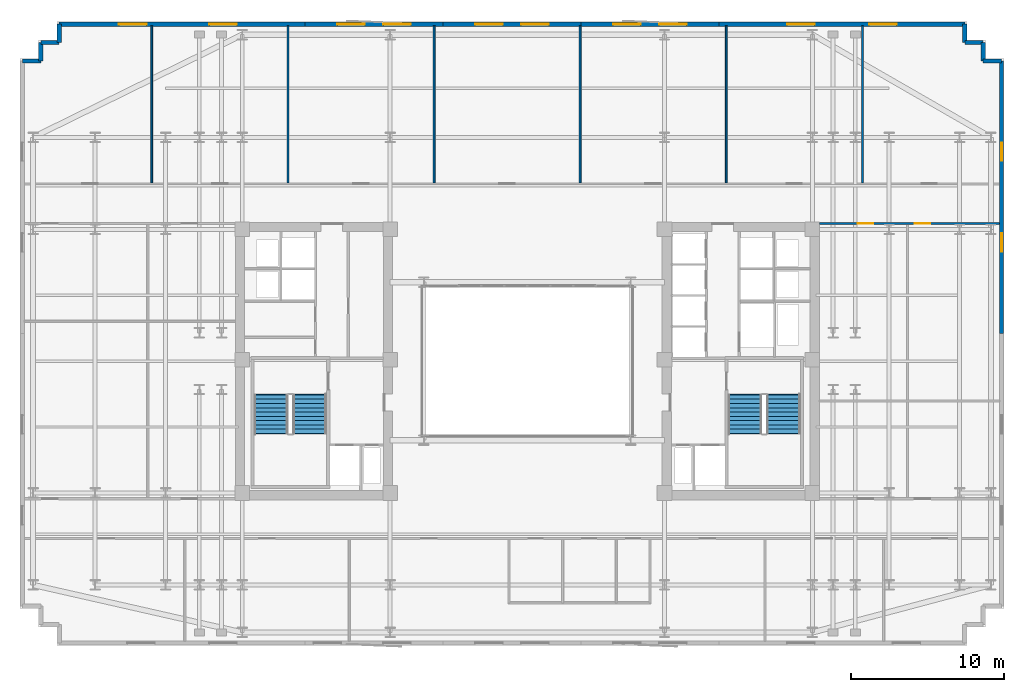
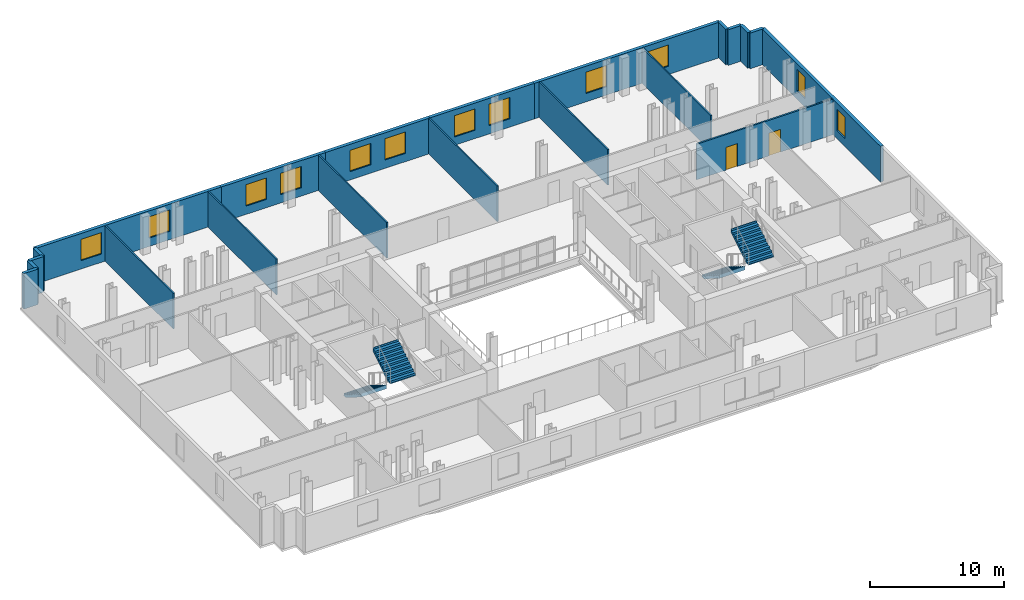
# One storey, part 10 of 12: 21 walls, 12 windows, 4 stair flights, 2 doors, 14 openings, 2 elements without a shape of their own.
"""IFC4 building model written with IfcOpenShell, lengths in metres."""

from ifc_helpers import new_model, si_unit, direction, frame, frame_2d, origin, place, context, subcontext, project, spatial, polyline, rectangle, outline, extrude, material, layer, layer_set, type_object, element, fill, aggregate, save


model = new_model("IFC4")

# Units and contexts
model_context = context("Model", 3, precision=1e-05, world=origin(), true_north=direction((0.0, 1.0)))
body_context = subcontext(model_context, "Body", "Model", "MODEL_VIEW")
ifc_project = project(units=[si_unit("LENGTHUNIT", "METRE"), si_unit("AREAUNIT", "SQUARE_METRE"), si_unit("VOLUMEUNIT", "CUBIC_METRE"), si_unit("PLANEANGLEUNIT", "RADIAN"), si_unit("MASSUNIT", "GRAM", prefix="KILO")], contexts=[model_context])

# Site, building, storey
site_placement = place(None, origin())
site = spatial("IfcSite", under=ifc_project, at=site_placement, CompositionType="ELEMENT")
building_placement = place(site_placement, origin())
building = spatial("IfcBuilding", under=site, at=building_placement, Name="Velakula Bourse", CompositionType="ELEMENT")
storey_placement = place(building_placement, frame((0.0, 0.0, 148.449951171875)))
storey = spatial("IfcBuildingStorey", under=building, at=storey_placement, Name="L40", CompositionType="ELEMENT", Elevation=148.449951171875)

# Wall, openings, windows
ifc_material_1 = material(Name="Red kilned clay facing brick masonry", Category="masonry")
ifc_layer_1 = layer(ifc_material_1, 0.280029296875, Name="Red kilned clay facing brick masonry", Category="masonry")
ifc_layer_set_1 = layer_set([ifc_layer_1], Name="Red kilned clay facing brick masonry")
wall_type_1 = type_object("IfcWallType", Name="WL-EXT-BRK-280", PredefinedType="STANDARD", material=ifc_layer_set_1)
wall_1_placement = place(storey_placement, frame((-30.5400390625, 21.989990234375, 0.0), z_axis=(0.0, 0.0, 1.0), x_axis=(1.0, 0.0, 0.0)))
wall_1 = element("IfcWall", 1, at=wall_1_placement, inside=storey, type_object=wall_type_1, Name="L40 N Brick Spandrel Wall B1", PredefinedType="STANDARD", context=body_context, shape_type="SweptSolid", body=[
    extrude(rectangle(XDim=16.0400390625, YDim=0.280029296875, at=frame_2d((8.02001953125, 0.0))), origin(), (0.0, 0.0, 1.0), 3.25),
])
opening_1_placement = place(wall_1_placement, frame((3.896728515625, 0.0, 0.760009765625)))
opening_1 = element("IfcOpeningElement", 2, at=opening_1_placement, cuts=wall_1, Name="Opening W-01", PredefinedType="OPENING", context=body_context, shape_type="SweptSolid", body=[
    extrude(rectangle(XDim=1.800048828125, YDim=1.949951171875, at=frame_2d((0.89990234375, 0.97509765625))), frame((0.0, 0.14990234375, 0.0), z_axis=(0.0, -1.0, 0.0), x_axis=(1.0, 0.0, 0.0)), (0.0, 0.0, 1.0), 0.300048828125),
])
opening_2_placement = place(wall_1_placement, frame((9.793212890625, 0.0, 0.760009765625)))
opening_2 = element("IfcOpeningElement", 3, at=opening_2_placement, cuts=wall_1, Name="Opening W-01", PredefinedType="OPENING", context=body_context, shape_type="SweptSolid", body=[
    extrude(rectangle(XDim=1.800048828125, YDim=1.949951171875, at=frame_2d((0.89990234375, 0.97509765625))), frame((0.0, 0.14990234375, 0.0), z_axis=(0.0, -1.0, 0.0), x_axis=(1.0, 0.0, 0.0)), (0.0, 0.0, 1.0), 0.300048828125),
])
ifc_material_2 = material(Name="Double-glazed solar-control Low-E glass", Category="glass")
window_type_1 = type_object("IfcWindowType", Name="WIN-TWR-1800x2100", PartitioningType="SINGLE_PANEL", PredefinedType="WINDOW", material=ifc_material_2)
window_1_placement = place(opening_1_placement, origin())
window_1 = element("IfcWindow", 4, at=window_1_placement, inside=storey, type_object=window_type_1, Name="L40 Deep-Set Recessed Window 1", OverallHeight=1.949951171875, OverallWidth=1.800048828125, PartitioningType="SINGLE_PANEL", PredefinedType="WINDOW", context=body_context, shape_type="SweptSolid", body=[
    extrude(rectangle(XDim=1.800048828125, YDim=1.949951171875, at=frame_2d((0.89990234375, 0.97509765625))), frame((0.0, 0.030029296875, 0.0), z_axis=(0.0, -1.0, 0.0), x_axis=(1.0, 0.0, 0.0)), (0.0, 0.0, 1.0), 0.06005859375),
])
fill(opening_1, window_1)
window_2_placement = place(opening_2_placement, origin())
window_2 = element("IfcWindow", 5, at=window_2_placement, inside=storey, type_object=window_type_1, Name="L40 Deep-Set Recessed Window 2", OverallHeight=1.949951171875, OverallWidth=1.800048828125, PartitioningType="SINGLE_PANEL", PredefinedType="WINDOW", context=body_context, shape_type="SweptSolid", body=[
    extrude(rectangle(XDim=1.800048828125, YDim=1.949951171875, at=frame_2d((0.89990234375, 0.97509765625))), frame((0.0, 0.030029296875, 0.0), z_axis=(0.0, -1.0, 0.0), x_axis=(1.0, 0.0, 0.0)), (0.0, 0.0, 1.0), 0.06005859375),
])
fill(opening_2, window_2)

wall_2_placement = place(storey_placement, frame((-14.5, 21.989990234375, 0.0), z_axis=(0.0, 0.0, 1.0), x_axis=(1.0, 0.0, 0.0)))
wall_2 = element("IfcWall", 6, at=wall_2_placement, inside=storey, type_object=wall_type_1, Name="L40 N Brick Spandrel Wall B2", PredefinedType="STANDARD", context=body_context, shape_type="SweptSolid", body=[
    extrude(rectangle(XDim=9.0, YDim=0.280029296875, at=frame_2d((4.5, 0.0))), origin(), (0.0, 0.0, 1.0), 3.25),
])
opening_3_placement = place(wall_2_placement, frame((2.10009765625, 0.0, 0.760009765625)))
opening_3 = element("IfcOpeningElement", 7, at=opening_3_placement, cuts=wall_2, Name="Opening W-01", PredefinedType="OPENING", context=body_context, shape_type="SweptSolid", body=[
    extrude(rectangle(XDim=1.800048828125, YDim=1.949951171875, at=frame_2d((0.89990234375, 0.97509765625))), frame((0.0, 0.14990234375, 0.0), z_axis=(0.0, -1.0, 0.0), x_axis=(1.0, 0.0, 0.0)), (0.0, 0.0, 1.0), 0.300048828125),
])
opening_4_placement = place(wall_2_placement, frame((5.10009765625, 0.0, 0.760009765625)))
opening_4 = element("IfcOpeningElement", 8, at=opening_4_placement, cuts=wall_2, Name="Opening W-01", PredefinedType="OPENING", context=body_context, shape_type="SweptSolid", body=[
    extrude(rectangle(XDim=1.800048828125, YDim=1.949951171875, at=frame_2d((0.89990234375, 0.97509765625))), frame((0.0, 0.14990234375, 0.0), z_axis=(0.0, -1.0, 0.0), x_axis=(1.0, 0.0, 0.0)), (0.0, 0.0, 1.0), 0.300048828125),
])
window_3_placement = place(opening_3_placement, origin())
window_3 = element("IfcWindow", 9, at=window_3_placement, inside=storey, type_object=window_type_1, Name="L40 Deep-Set Recessed Window 1", OverallHeight=1.949951171875, OverallWidth=1.800048828125, PartitioningType="SINGLE_PANEL", PredefinedType="WINDOW", context=body_context, shape_type="SweptSolid", body=[
    extrude(rectangle(XDim=1.800048828125, YDim=1.949951171875, at=frame_2d((0.89990234375, 0.97509765625))), frame((0.0, 0.030029296875, 0.0), z_axis=(0.0, -1.0, 0.0), x_axis=(1.0, 0.0, 0.0)), (0.0, 0.0, 1.0), 0.06005859375),
])
fill(opening_3, window_3)
window_4_placement = place(opening_4_placement, origin())
window_4 = element("IfcWindow", 10, at=window_4_placement, inside=storey, type_object=window_type_1, Name="L40 Deep-Set Recessed Window 2", OverallHeight=1.949951171875, OverallWidth=1.800048828125, PartitioningType="SINGLE_PANEL", PredefinedType="WINDOW", context=body_context, shape_type="SweptSolid", body=[
    extrude(rectangle(XDim=1.800048828125, YDim=1.949951171875, at=frame_2d((0.89990234375, 0.97509765625))), frame((0.0, 0.030029296875, 0.0), z_axis=(0.0, -1.0, 0.0), x_axis=(1.0, 0.0, 0.0)), (0.0, 0.0, 1.0), 0.06005859375),
])
fill(opening_4, window_4)

wall_3_placement = place(storey_placement, frame((-5.5, 21.989990234375, 0.0), z_axis=(0.0, 0.0, 1.0), x_axis=(1.0, 0.0, 0.0)))
wall_3 = element("IfcWall", 11, at=wall_3_placement, inside=storey, type_object=wall_type_1, Name="L40 N Brick Spandrel Wall B3", PredefinedType="STANDARD", context=body_context, shape_type="SweptSolid", body=[
    extrude(rectangle(XDim=9.0, YDim=0.280029296875, at=frame_2d((4.5, 0.0))), origin(), (0.0, 0.0, 1.0), 3.25),
])
opening_5_placement = place(wall_3_placement, frame((2.10009765625, 0.0, 0.760009765625)))
opening_5 = element("IfcOpeningElement", 12, at=opening_5_placement, cuts=wall_3, Name="Opening W-01", PredefinedType="OPENING", context=body_context, shape_type="SweptSolid", body=[
    extrude(rectangle(XDim=1.800048828125, YDim=1.949951171875, at=frame_2d((0.89990234375, 0.97509765625))), frame((0.0, 0.14990234375, 0.0), z_axis=(0.0, -1.0, 0.0), x_axis=(1.0, 0.0, 0.0)), (0.0, 0.0, 1.0), 0.300048828125),
])
opening_6_placement = place(wall_3_placement, frame((5.10009765625, 0.0, 0.760009765625)))
opening_6 = element("IfcOpeningElement", 13, at=opening_6_placement, cuts=wall_3, Name="Opening W-01", PredefinedType="OPENING", context=body_context, shape_type="SweptSolid", body=[
    extrude(rectangle(XDim=1.800048828125, YDim=1.949951171875, at=frame_2d((0.89990234375, 0.97509765625))), frame((0.0, 0.14990234375, 0.0), z_axis=(0.0, -1.0, 0.0), x_axis=(1.0, 0.0, 0.0)), (0.0, 0.0, 1.0), 0.300048828125),
])
window_5_placement = place(opening_5_placement, origin())
window_5 = element("IfcWindow", 14, at=window_5_placement, inside=storey, type_object=window_type_1, Name="L40 Deep-Set Recessed Window 1", OverallHeight=1.949951171875, OverallWidth=1.800048828125, PartitioningType="SINGLE_PANEL", PredefinedType="WINDOW", context=body_context, shape_type="SweptSolid", body=[
    extrude(rectangle(XDim=1.800048828125, YDim=1.949951171875, at=frame_2d((0.89990234375, 0.97509765625))), frame((0.0, 0.030029296875, 0.0), z_axis=(0.0, -1.0, 0.0), x_axis=(1.0, 0.0, 0.0)), (0.0, 0.0, 1.0), 0.06005859375),
])
fill(opening_5, window_5)
window_6_placement = place(opening_6_placement, origin())
window_6 = element("IfcWindow", 15, at=window_6_placement, inside=storey, type_object=window_type_1, Name="L40 Deep-Set Recessed Window 2", OverallHeight=1.949951171875, OverallWidth=1.800048828125, PartitioningType="SINGLE_PANEL", PredefinedType="WINDOW", context=body_context, shape_type="SweptSolid", body=[
    extrude(rectangle(XDim=1.800048828125, YDim=1.949951171875, at=frame_2d((0.89990234375, 0.97509765625))), frame((0.0, 0.030029296875, 0.0), z_axis=(0.0, -1.0, 0.0), x_axis=(1.0, 0.0, 0.0)), (0.0, 0.0, 1.0), 0.06005859375),
])
fill(opening_6, window_6)

wall_4_placement = place(storey_placement, frame((3.5, 21.989990234375, 0.0), z_axis=(0.0, 0.0, 1.0), x_axis=(1.0, 0.0, 0.0)))
wall_4 = element("IfcWall", 16, at=wall_4_placement, inside=storey, type_object=wall_type_1, Name="L40 N Brick Spandrel Wall B4", PredefinedType="STANDARD", context=body_context, shape_type="SweptSolid", body=[
    extrude(rectangle(XDim=9.0, YDim=0.280029296875, at=frame_2d((4.5, 0.0))), origin(), (0.0, 0.0, 1.0), 3.25),
])
opening_7_placement = place(wall_4_placement, frame((2.10009765625, 0.0, 0.760009765625)))
opening_7 = element("IfcOpeningElement", 17, at=opening_7_placement, cuts=wall_4, Name="Opening W-01", PredefinedType="OPENING", context=body_context, shape_type="SweptSolid", body=[
    extrude(rectangle(XDim=1.800048828125, YDim=1.949951171875, at=frame_2d((0.89990234375, 0.97509765625))), frame((0.0, 0.14990234375, 0.0), z_axis=(0.0, -1.0, 0.0), x_axis=(1.0, 0.0, 0.0)), (0.0, 0.0, 1.0), 0.300048828125),
])
opening_8_placement = place(wall_4_placement, frame((5.10009765625, 0.0, 0.760009765625)))
opening_8 = element("IfcOpeningElement", 18, at=opening_8_placement, cuts=wall_4, Name="Opening W-01", PredefinedType="OPENING", context=body_context, shape_type="SweptSolid", body=[
    extrude(rectangle(XDim=1.800048828125, YDim=1.949951171875, at=frame_2d((0.89990234375, 0.97509765625))), frame((0.0, 0.14990234375, 0.0), z_axis=(0.0, -1.0, 0.0), x_axis=(1.0, 0.0, 0.0)), (0.0, 0.0, 1.0), 0.300048828125),
])
window_7_placement = place(opening_7_placement, origin())
window_7 = element("IfcWindow", 19, at=window_7_placement, inside=storey, type_object=window_type_1, Name="L40 Deep-Set Recessed Window 1", OverallHeight=1.949951171875, OverallWidth=1.800048828125, PartitioningType="SINGLE_PANEL", PredefinedType="WINDOW", context=body_context, shape_type="SweptSolid", body=[
    extrude(rectangle(XDim=1.800048828125, YDim=1.949951171875, at=frame_2d((0.89990234375, 0.97509765625))), frame((0.0, 0.030029296875, 0.0), z_axis=(0.0, -1.0, 0.0), x_axis=(1.0, 0.0, 0.0)), (0.0, 0.0, 1.0), 0.06005859375),
])
fill(opening_7, window_7)
window_8_placement = place(opening_8_placement, origin())
window_8 = element("IfcWindow", 20, at=window_8_placement, inside=storey, type_object=window_type_1, Name="L40 Deep-Set Recessed Window 2", OverallHeight=1.949951171875, OverallWidth=1.800048828125, PartitioningType="SINGLE_PANEL", PredefinedType="WINDOW", context=body_context, shape_type="SweptSolid", body=[
    extrude(rectangle(XDim=1.800048828125, YDim=1.949951171875, at=frame_2d((0.89990234375, 0.97509765625))), frame((0.0, 0.030029296875, 0.0), z_axis=(0.0, -1.0, 0.0), x_axis=(1.0, 0.0, 0.0)), (0.0, 0.0, 1.0), 0.06005859375),
])
fill(opening_8, window_8)

wall_5_placement = place(storey_placement, frame((12.5, 21.989990234375, 0.0), z_axis=(0.0, 0.0, 1.0), x_axis=(1.0, 0.0, 0.0)))
wall_5 = element("IfcWall", 21, at=wall_5_placement, inside=storey, type_object=wall_type_1, Name="L40 N Brick Spandrel Wall B5", PredefinedType="STANDARD", context=body_context, shape_type="SweptSolid", body=[
    extrude(rectangle(XDim=16.0400390625, YDim=0.280029296875, at=frame_2d((8.02001953125, 0.0))), origin(), (0.0, 0.0, 1.0), 3.25),
])
opening_9_placement = place(wall_5_placement, frame((4.44677734375, 0.0, 0.760009765625)))
opening_9 = element("IfcOpeningElement", 22, at=opening_9_placement, cuts=wall_5, Name="Opening W-01", PredefinedType="OPENING", context=body_context, shape_type="SweptSolid", body=[
    extrude(rectangle(XDim=1.800048828125, YDim=1.949951171875, at=frame_2d((0.89990234375, 0.97509765625))), frame((0.0, 0.14990234375, 0.0), z_axis=(0.0, -1.0, 0.0), x_axis=(1.0, 0.0, 0.0)), (0.0, 0.0, 1.0), 0.300048828125),
])
opening_10_placement = place(wall_5_placement, frame((9.793212890625, 0.0, 0.760009765625)))
opening_10 = element("IfcOpeningElement", 23, at=opening_10_placement, cuts=wall_5, Name="Opening W-01", PredefinedType="OPENING", context=body_context, shape_type="SweptSolid", body=[
    extrude(rectangle(XDim=1.800048828125, YDim=1.949951171875, at=frame_2d((0.89990234375, 0.97509765625))), frame((0.0, 0.14990234375, 0.0), z_axis=(0.0, -1.0, 0.0), x_axis=(1.0, 0.0, 0.0)), (0.0, 0.0, 1.0), 0.300048828125),
])
window_9_placement = place(opening_9_placement, origin())
window_9 = element("IfcWindow", 24, at=window_9_placement, inside=storey, type_object=window_type_1, Name="L40 Deep-Set Recessed Window 1", OverallHeight=1.949951171875, OverallWidth=1.800048828125, PartitioningType="SINGLE_PANEL", PredefinedType="WINDOW", context=body_context, shape_type="SweptSolid", body=[
    extrude(rectangle(XDim=1.800048828125, YDim=1.949951171875, at=frame_2d((0.89990234375, 0.97509765625))), frame((0.0, 0.030029296875, 0.0), z_axis=(0.0, -1.0, 0.0), x_axis=(1.0, 0.0, 0.0)), (0.0, 0.0, 1.0), 0.06005859375),
])
fill(opening_9, window_9)
window_10_placement = place(opening_10_placement, origin())
window_10 = element("IfcWindow", 25, at=window_10_placement, inside=storey, type_object=window_type_1, Name="L40 Deep-Set Recessed Window 2", OverallHeight=1.949951171875, OverallWidth=1.800048828125, PartitioningType="SINGLE_PANEL", PredefinedType="WINDOW", context=body_context, shape_type="SweptSolid", body=[
    extrude(rectangle(XDim=1.800048828125, YDim=1.949951171875, at=frame_2d((0.89990234375, 0.97509765625))), frame((0.0, 0.030029296875, 0.0), z_axis=(0.0, -1.0, 0.0), x_axis=(1.0, 0.0, 0.0)), (0.0, 0.0, 1.0), 0.06005859375),
])
fill(opening_10, window_10)

wall_6_placement = place(storey_placement, frame((30.93994140625, 19.590087890625, 0.0), z_axis=(0.0, 0.0, 1.0), x_axis=(0.0, -1.0, 0.0)))
wall_6 = element("IfcWall", 26, at=wall_6_placement, inside=storey, type_object=wall_type_1, Name="L40 E Brick End Wall W2", PredefinedType="STANDARD", context=body_context, shape_type="SweptSolid", body=[
    extrude(rectangle(XDim=17.7900390625, YDim=0.280029296875, at=frame_2d((8.89501953125, 0.0))), origin(), (0.0, 0.0, 1.0), 3.25),
])
opening_11_placement = place(wall_6_placement, frame((5.330078125, 0.0, 0.760009765625)))
opening_11 = element("IfcOpeningElement", 27, at=opening_11_placement, cuts=wall_6, Name="Opening W-04", PredefinedType="OPENING", context=body_context, shape_type="SweptSolid", body=[
    extrude(rectangle(XDim=1.199951171875, YDim=1.949951171875, at=frame_2d((0.60009765625, 0.97509765625))), frame((0.0, 0.14990234375, 0.0), z_axis=(0.0, -1.0, 0.0), x_axis=(1.0, 0.0, 0.0)), (0.0, 0.0, 1.0), 0.300048828125),
])
opening_12_placement = place(wall_6_placement, frame((11.260009765625, 0.0, 0.760009765625)))
opening_12 = element("IfcOpeningElement", 28, at=opening_12_placement, cuts=wall_6, Name="Opening W-04", PredefinedType="OPENING", context=body_context, shape_type="SweptSolid", body=[
    extrude(rectangle(XDim=1.199951171875, YDim=1.949951171875, at=frame_2d((0.60009765625, 0.97509765625))), frame((0.0, 0.14990234375, 0.0), z_axis=(0.0, -1.0, 0.0), x_axis=(1.0, 0.0, 0.0)), (0.0, 0.0, 1.0), 0.300048828125),
])
window_type_2 = type_object("IfcWindowType", Name="WIN-TWR-1200x2100", PartitioningType="SINGLE_PANEL", PredefinedType="WINDOW", material=ifc_material_2)
window_11_placement = place(opening_11_placement, origin())
window_11 = element("IfcWindow", 29, at=window_11_placement, inside=storey, type_object=window_type_2, Name="L40 Deep-Set Recessed Window 1", OverallHeight=1.949951171875, OverallWidth=1.199951171875, PartitioningType="SINGLE_PANEL", PredefinedType="WINDOW", context=body_context, shape_type="SweptSolid", body=[
    extrude(rectangle(XDim=1.199951171875, YDim=1.949951171875, at=frame_2d((0.60009765625, 0.97509765625))), frame((0.0, 0.030029296875, 0.0), z_axis=(0.0, -1.0, 0.0), x_axis=(1.0, 0.0, 0.0)), (0.0, 0.0, 1.0), 0.06005859375),
])
fill(opening_11, window_11)
window_12_placement = place(opening_12_placement, origin())
window_12 = element("IfcWindow", 30, at=window_12_placement, inside=storey, type_object=window_type_2, Name="L40 Deep-Set Recessed Window 2", OverallHeight=1.949951171875, OverallWidth=1.199951171875, PartitioningType="SINGLE_PANEL", PredefinedType="WINDOW", context=body_context, shape_type="SweptSolid", body=[
    extrude(rectangle(XDim=1.199951171875, YDim=1.949951171875, at=frame_2d((0.60009765625, 0.97509765625))), frame((0.0, 0.030029296875, 0.0), z_axis=(0.0, -1.0, 0.0), x_axis=(1.0, 0.0, 0.0)), (0.0, 0.0, 1.0), 0.06005859375),
])
fill(opening_12, window_12)

# Walls
for number, where, z_axis, x_axis, name in (
    (31, (30.93994140625, 19.590087890625, 0.0), (0.0, 0.0, 1.0), (-1.0, 0.0, 0.0), "L40 Serrated Corner Brick Wall NE-1"),
    (32, (29.739990234375, 19.590087890625, 0.0), (0.0, 0.0, 1.0), (0.0, 1.0, 0.0), "L40 Serrated Corner Brick Wall NE-2"),
    (33, (29.739990234375, 20.7900390625, 0.0), (0.0, 0.0, 1.0), (-1.0, 0.0, 0.0), "L40 Serrated Corner Brick Wall NE-3"),
    (34, (28.5400390625, 20.7900390625, 0.0), (0.0, 0.0, 1.0), (0.0, 1.0, 0.0), "L40 Serrated Corner Brick Wall NE-4"),
    (35, (-30.5400390625, 21.989990234375, 0.0), (0.0, 0.0, 1.0), (0.0, -1.0, 0.0), "L40 Serrated Corner Brick Wall NW-1"),
    (36, (-30.5400390625, 20.7900390625, 0.0), (0.0, 0.0, 1.0), (-1.0, 0.0, 0.0), "L40 Serrated Corner Brick Wall NW-2"),
    (37, (-31.739990234375, 20.7900390625, 0.0), (0.0, 0.0, 1.0), (0.0, -1.0, 0.0), "L40 Serrated Corner Brick Wall NW-3"),
    (38, (-31.739990234375, 19.590087890625, 0.0), (0.0, 0.0, 1.0), (-1.0, 0.0, 0.0), "L40 Serrated Corner Brick Wall NW-4"),
):
    element("IfcWall", number, at=place(storey_placement, frame(where, z_axis=z_axis, x_axis=x_axis)), inside=storey, type_object=wall_type_1, Name=name, PredefinedType="STANDARD", context=body_context, shape_type="SweptSolid", body=[
        extrude(rectangle(XDim=1.199951171875, YDim=0.280029296875, at=frame_2d((0.60009765625, 0.0))), origin(), (0.0, 0.0, 1.0), 3.25),
    ])
ifc_material_3 = material(Name="Fire-rated double-layer gypsum drywall partition", Category="gypsum")
ifc_layer_2 = layer(ifc_material_3, 0.1201171875, Name="Fire-rated double-layer gypsum drywall partition", Category="gypsum")
ifc_layer_set_2 = layer_set([ifc_layer_2], Name="Fire-rated double-layer gypsum drywall partition")
wall_type_2 = type_object("IfcWallType", Name="WL-PART-120", PredefinedType="STANDARD", material=ifc_layer_set_2)
for number, where, z_axis, x_axis, name in (
    (39, (-24.501953125, 11.639892578125, 0.0), (0.0, 0.0, 1.0), (0.0, 1.0, 0.0), "L40 Interior Partition WL-INT-L40-N-D1"),
    (40, (-15.610107421875, 11.639892578125, 0.0), (0.0, 0.0, 1.0), (0.0, 1.0, 0.0), "L40 Interior Partition WL-INT-L40-N-D2"),
    (41, (-6.08203125, 11.639892578125, 0.0), (0.0, 0.0, 1.0), (0.0, 1.0, 0.0), "L40 Interior Partition WL-INT-L40-N-D3"),
    (42, (3.446044921875, 11.639892578125, 0.0), (0.0, 0.0, 1.0), (0.0, 1.0, 0.0), "L40 Interior Partition WL-INT-L40-N-D4"),
    (43, (12.97412109375, 11.639892578125, 0.0), (0.0, 0.0, 1.0), (0.0, 1.0, 0.0), "L40 Interior Partition WL-INT-L40-N-D5"),
    (44, (21.866943359375, 11.639892578125, 0.0), (0.0, 0.0, 1.0), (0.0, 1.0, 0.0), "L40 Interior Partition WL-INT-L40-N-D6"),
):
    element("IfcWall", number, at=place(storey_placement, frame(where, z_axis=z_axis, x_axis=x_axis)), inside=storey, type_object=wall_type_2, Name=name, PredefinedType="STANDARD", context=body_context, shape_type="SweptSolid", body=[
        extrude(rectangle(XDim=10.230224609375, YDim=0.1201171875, at=frame_2d((5.115234375, 0.0))), origin(), (0.0, 0.0, 1.0), 3.25),
    ])

# Wall, openings, doors
ifc_layer_3 = layer(ifc_material_3, 0.139892578125, Name="Fire-rated double-layer gypsum drywall partition", Category="gypsum")
ifc_layer_set_3 = layer_set([ifc_layer_3], Name="Fire-rated double-layer gypsum drywall partition")
wall_type_3 = type_object("IfcWallType", Name="WL-PART-140", PredefinedType="STANDARD", material=ifc_layer_set_3)
wall_7_placement = place(storey_placement, frame((19.050048828125, 8.97998046875, 0.0), z_axis=(0.0, 0.0, 1.0), x_axis=(1.0, 0.0, 0.0)))
wall_7 = element("IfcWall", 45, at=wall_7_placement, inside=storey, type_object=wall_type_3, Name="L40 Interior Partition WL-INT-L40-E-NC", PredefinedType="STANDARD", context=body_context, shape_type="SweptSolid", body=[
    extrude(rectangle(XDim=11.77001953125, YDim=0.139892578125, at=frame_2d((5.885009765625, 0.0))), origin(), (0.0, 0.0, 1.0), 3.25),
])
opening_13_placement = place(wall_7_placement, frame((2.507568359375, 0.0, 0.0)))
opening_13 = element("IfcOpeningElement", 46, at=opening_13_placement, cuts=wall_7, Name="Opening D-OF1", PredefinedType="OPENING", context=body_context, shape_type="SweptSolid", body=[
    extrude(rectangle(XDim=1.0, YDim=2.080078125, at=frame_2d((0.5, 1.0400390625))), frame((0.0, 0.079833984375, 0.0), z_axis=(0.0, -1.0, 0.0), x_axis=(1.0, 0.0, 0.0)), (0.0, 0.0, 1.0), 0.159912109375),
])
opening_14_placement = place(wall_7_placement, frame((6.236328125, 0.0, 0.0)))
opening_14 = element("IfcOpeningElement", 47, at=opening_14_placement, cuts=wall_7, Name="Opening D-OF1", PredefinedType="OPENING", context=body_context, shape_type="SweptSolid", body=[
    extrude(rectangle(XDim=1.0, YDim=2.080078125, at=frame_2d((0.5, 1.0400390625))), frame((0.0, 0.079833984375, 0.0), z_axis=(0.0, -1.0, 0.0), x_axis=(1.0, 0.0, 0.0)), (0.0, 0.0, 1.0), 0.159912109375),
])
ifc_material_4 = material(Name="Fire-rated hardwood flush architectural door", Category="wood")
door_type = type_object("IfcDoorType", Name="DR-OFF-1000", OperationType="NOTDEFINED", PredefinedType="DOOR", material=ifc_material_4)
door_1_placement = place(opening_13_placement, origin())
door_1 = element("IfcDoor", 48, at=door_1_placement, inside=storey, type_object=door_type, Name="L40 Chief Risk Officer Chamber Door", OperationType="SINGLE_SWING_LEFT", OverallHeight=2.080078125, OverallWidth=1.0, PredefinedType="DOOR", context=body_context, shape_type="SweptSolid", body=[
    extrude(rectangle(XDim=1.0, YDim=2.080078125, at=frame_2d((0.5, 1.0400390625))), frame((0.0, 0.02490234375, 0.0), z_axis=(0.0, -1.0, 0.0), x_axis=(1.0, 0.0, 0.0)), (0.0, 0.0, 1.0), 0.050048828125),
])
fill(opening_13, door_1)
door_2_placement = place(opening_14_placement, origin())
door_2 = element("IfcDoor", 49, at=door_2_placement, inside=storey, type_object=door_type, Name="L40 Yield Curve Seminar Room Door", OperationType="SINGLE_SWING_RIGHT", OverallHeight=2.080078125, OverallWidth=1.0, PredefinedType="DOOR", context=body_context, shape_type="SweptSolid", body=[
    extrude(rectangle(XDim=1.0, YDim=2.080078125, at=frame_2d((0.5, 1.0400390625))), frame((0.0, 0.02490234375, 0.0), z_axis=(0.0, -1.0, 0.0), x_axis=(1.0, 0.0, 0.0)), (0.0, 0.0, 1.0), 0.050048828125),
])
fill(opening_14, door_2)

# Stair, stair flights
ifc_material_5 = material(Name="Concrete M45 (fck 45 MPa)", Category="concrete")
stair_type = type_object("IfcStairType", Name="STR-DOG-390", PredefinedType="HALF_TURN_STAIR", material=ifc_material_5)
stair_1_placement = place(storey_placement, origin())
stair_1 = element("IfcStair", 50, at=stair_1_placement, inside=storey, type_object=stair_type, Name="L40 West Core Exit Stair ST-W1", PredefinedType="HALF_TURN_STAIR")
ifc_layer_4 = layer(ifc_material_5, 0.195068359375, Name="Concrete M45 (fck 45 MPa)", Category="concrete")
ifc_layer_set_4 = layer_set([ifc_layer_4], Name="Concrete M45 (fck 45 MPa)")
stair_flight_type = type_object("IfcStairFlightType", Name="FLT-DOG-390", PredefinedType="STRAIGHT", material=ifc_layer_set_4)
stair_flight_1_placement = place(storey_placement, frame((-16.720947265625, -2.199951171875, 0.0), z_axis=(0.0, 0.0, 1.0), x_axis=(0.0, -1.0, 0.0)))
stair_flight_1 = element("IfcStairFlight", 51, at=stair_flight_1_placement, type_object=stair_flight_type, Name="ST-W1 flight 1", NumberOfRisers=10, NumberOfTreads=9, PredefinedType="STRAIGHT", RiserHeight=0.1725, TreadLength=0.28, context=body_context, shape_type="SweptSolid", body=[
    extrude(outline(polyline([(-0.044921875, -0.0400390625), (-0.044921875, -0.036865234375), (-0.044921875, -0.033935546875), (-0.044921875, -0.03076171875), (-0.044921875, -0.027587890625), (-0.044921875, -0.024658203125), (-0.044921875, -0.021484375), (-0.044921875, -0.0185546875), (-0.044921875, -0.015380859375), (-0.044921875, -0.01220703125), (-0.044921875, -0.00927734375), (-0.044921875, -0.006103515625), (-0.044921875, -0.003173828125), (-0.044921875, 0.0), (0.0, 0.0), (0.0, 0.172607421875), (0.280029296875, 0.172607421875), (0.280029296875, 0.344970703125), (0.56005859375, 0.344970703125), (0.56005859375, 0.517578125), (0.840087890625, 0.517578125), (0.840087890625, 0.68994140625), (1.1201171875, 0.68994140625), (1.1201171875, 0.862548828125), (1.39990234375, 0.862548828125), (1.39990234375, 1.034912109375), (1.679931640625, 1.034912109375), (1.679931640625, 1.20751953125), (1.9599609375, 1.20751953125), (1.9599609375, 1.3798828125), (2.239990234375, 1.3798828125), (2.239990234375, 1.552490234375), (2.52001953125, 1.552490234375), (2.52001953125, 1.72509765625), (2.56494140625, 1.72509765625), (2.56494140625, 1.7001953125), (2.56494140625, 1.67529296875), (2.56494140625, 1.650390625), (2.56494140625, 1.62548828125), (2.56494140625, 1.6005859375), (2.56494140625, 1.57568359375), (2.56494140625, 1.55078125), (2.56494140625, 1.52587890625), (2.56494140625, 1.5009765625), (2.56494140625, 1.47607421875), (2.56494140625, 1.451171875), (2.56494140625, 1.42626953125), (2.56494140625, 1.4013671875), (2.56494140625, 1.37646484375), (0.285888671875, -0.0400390625), (-0.044921875, -0.0400390625)])), frame((0.0, 1.09912109375, 0.0), z_axis=(0.0, -1.0, 0.0), x_axis=(1.0, 0.0, 0.0)), (0.0, 0.0, 1.0), 2.197998046875),
])
stair_flight_2_placement = place(storey_placement, frame((-14.198974609375, -4.719970703125, 1.72509765625), z_axis=(0.0, 0.0, 1.0), x_axis=(0.0, 1.0, 0.0)))
stair_flight_2 = element("IfcStairFlight", 52, at=stair_flight_2_placement, type_object=stair_flight_type, Name="ST-W1 flight 2", NumberOfRisers=10, NumberOfTreads=9, PredefinedType="STRAIGHT", RiserHeight=0.1725, TreadLength=0.28, context=body_context, shape_type="SweptSolid", body=[
    extrude(outline(polyline([(-0.044921875, -0.0400390625), (-0.044921875, -0.036865234375), (-0.044921875, -0.033935546875), (-0.044921875, -0.03076171875), (-0.044921875, -0.027587890625), (-0.044921875, -0.024658203125), (-0.044921875, -0.021484375), (-0.044921875, -0.0185546875), (-0.044921875, -0.015380859375), (-0.044921875, -0.01220703125), (-0.044921875, -0.00927734375), (-0.044921875, -0.006103515625), (-0.044921875, -0.003173828125), (-0.044921875, 0.0), (0.0, 0.0), (0.0, 0.172607421875), (0.280029296875, 0.172607421875), (0.280029296875, 0.344970703125), (0.56005859375, 0.344970703125), (0.56005859375, 0.517578125), (0.840087890625, 0.517578125), (0.840087890625, 0.68994140625), (1.1201171875, 0.68994140625), (1.1201171875, 0.862548828125), (1.39990234375, 0.862548828125), (1.39990234375, 1.034912109375), (1.679931640625, 1.034912109375), (1.679931640625, 1.20751953125), (1.9599609375, 1.20751953125), (1.9599609375, 1.3798828125), (2.239990234375, 1.3798828125), (2.239990234375, 1.552490234375), (2.52001953125, 1.552490234375), (2.52001953125, 1.72509765625), (2.56494140625, 1.72509765625), (2.56494140625, 1.7001953125), (2.56494140625, 1.67529296875), (2.56494140625, 1.650390625), (2.56494140625, 1.62548828125), (2.56494140625, 1.6005859375), (2.56494140625, 1.57568359375), (2.56494140625, 1.55078125), (2.56494140625, 1.52587890625), (2.56494140625, 1.5009765625), (2.56494140625, 1.47607421875), (2.56494140625, 1.451171875), (2.56494140625, 1.42626953125), (2.56494140625, 1.4013671875), (2.56494140625, 1.37646484375), (0.285888671875, -0.0400390625), (-0.044921875, -0.0400390625)])), frame((0.0, 1.09912109375, 0.0), z_axis=(0.0, -1.0, 0.0), x_axis=(1.0, 0.0, 0.0)), (0.0, 0.0, 1.0), 2.197998046875),
])
aggregate(stair_1, [stair_flight_1, stair_flight_2])

stair_2_placement = place(storey_placement, origin())
stair_2 = element("IfcStair", 53, at=stair_2_placement, inside=storey, type_object=stair_type, Name="L40 East Core Exit Stair ST-E1", PredefinedType="HALF_TURN_STAIR")
stair_flight_3_placement = place(storey_placement, frame((14.198974609375, -2.199951171875, 0.0), z_axis=(0.0, 0.0, 1.0), x_axis=(0.0, -1.0, 0.0)))
stair_flight_3 = element("IfcStairFlight", 54, at=stair_flight_3_placement, type_object=stair_flight_type, Name="ST-E1 flight 1", NumberOfRisers=10, NumberOfTreads=9, PredefinedType="STRAIGHT", RiserHeight=0.1725, TreadLength=0.28, context=body_context, shape_type="SweptSolid", body=[
    extrude(outline(polyline([(-0.044921875, -0.0400390625), (-0.044921875, -0.036865234375), (-0.044921875, -0.033935546875), (-0.044921875, -0.03076171875), (-0.044921875, -0.027587890625), (-0.044921875, -0.024658203125), (-0.044921875, -0.021484375), (-0.044921875, -0.0185546875), (-0.044921875, -0.015380859375), (-0.044921875, -0.01220703125), (-0.044921875, -0.00927734375), (-0.044921875, -0.006103515625), (-0.044921875, -0.003173828125), (-0.044921875, 0.0), (0.0, 0.0), (0.0, 0.172607421875), (0.280029296875, 0.172607421875), (0.280029296875, 0.344970703125), (0.56005859375, 0.344970703125), (0.56005859375, 0.517578125), (0.840087890625, 0.517578125), (0.840087890625, 0.68994140625), (1.1201171875, 0.68994140625), (1.1201171875, 0.862548828125), (1.39990234375, 0.862548828125), (1.39990234375, 1.034912109375), (1.679931640625, 1.034912109375), (1.679931640625, 1.20751953125), (1.9599609375, 1.20751953125), (1.9599609375, 1.3798828125), (2.239990234375, 1.3798828125), (2.239990234375, 1.552490234375), (2.52001953125, 1.552490234375), (2.52001953125, 1.72509765625), (2.56494140625, 1.72509765625), (2.56494140625, 1.7001953125), (2.56494140625, 1.67529296875), (2.56494140625, 1.650390625), (2.56494140625, 1.62548828125), (2.56494140625, 1.6005859375), (2.56494140625, 1.57568359375), (2.56494140625, 1.55078125), (2.56494140625, 1.52587890625), (2.56494140625, 1.5009765625), (2.56494140625, 1.47607421875), (2.56494140625, 1.451171875), (2.56494140625, 1.42626953125), (2.56494140625, 1.4013671875), (2.56494140625, 1.37646484375), (0.285888671875, -0.0400390625), (-0.044921875, -0.0400390625)])), frame((0.0, 1.09912109375, 0.0), z_axis=(0.0, -1.0, 0.0), x_axis=(1.0, 0.0, 0.0)), (0.0, 0.0, 1.0), 2.197998046875),
])
stair_flight_4_placement = place(storey_placement, frame((16.720947265625, -4.719970703125, 1.72509765625), z_axis=(0.0, 0.0, 1.0), x_axis=(0.0, 1.0, 0.0)))
stair_flight_4 = element("IfcStairFlight", 55, at=stair_flight_4_placement, type_object=stair_flight_type, Name="ST-E1 flight 2", NumberOfRisers=10, NumberOfTreads=9, PredefinedType="STRAIGHT", RiserHeight=0.1725, TreadLength=0.28, context=body_context, shape_type="SweptSolid", body=[
    extrude(outline(polyline([(-0.044921875, -0.0400390625), (-0.044921875, -0.036865234375), (-0.044921875, -0.033935546875), (-0.044921875, -0.03076171875), (-0.044921875, -0.027587890625), (-0.044921875, -0.024658203125), (-0.044921875, -0.021484375), (-0.044921875, -0.0185546875), (-0.044921875, -0.015380859375), (-0.044921875, -0.01220703125), (-0.044921875, -0.00927734375), (-0.044921875, -0.006103515625), (-0.044921875, -0.003173828125), (-0.044921875, 0.0), (0.0, 0.0), (0.0, 0.172607421875), (0.280029296875, 0.172607421875), (0.280029296875, 0.344970703125), (0.56005859375, 0.344970703125), (0.56005859375, 0.517578125), (0.840087890625, 0.517578125), (0.840087890625, 0.68994140625), (1.1201171875, 0.68994140625), (1.1201171875, 0.862548828125), (1.39990234375, 0.862548828125), (1.39990234375, 1.034912109375), (1.679931640625, 1.034912109375), (1.679931640625, 1.20751953125), (1.9599609375, 1.20751953125), (1.9599609375, 1.3798828125), (2.239990234375, 1.3798828125), (2.239990234375, 1.552490234375), (2.52001953125, 1.552490234375), (2.52001953125, 1.72509765625), (2.56494140625, 1.72509765625), (2.56494140625, 1.7001953125), (2.56494140625, 1.67529296875), (2.56494140625, 1.650390625), (2.56494140625, 1.62548828125), (2.56494140625, 1.6005859375), (2.56494140625, 1.57568359375), (2.56494140625, 1.55078125), (2.56494140625, 1.52587890625), (2.56494140625, 1.5009765625), (2.56494140625, 1.47607421875), (2.56494140625, 1.451171875), (2.56494140625, 1.42626953125), (2.56494140625, 1.4013671875), (2.56494140625, 1.37646484375), (0.285888671875, -0.0400390625), (-0.044921875, -0.0400390625)])), frame((0.0, 1.09912109375, 0.0), z_axis=(0.0, -1.0, 0.0), x_axis=(1.0, 0.0, 0.0)), (0.0, 0.0, 1.0), 2.197998046875),
])
aggregate(stair_2, [stair_flight_3, stair_flight_4])

save(model, "model.ifc")
